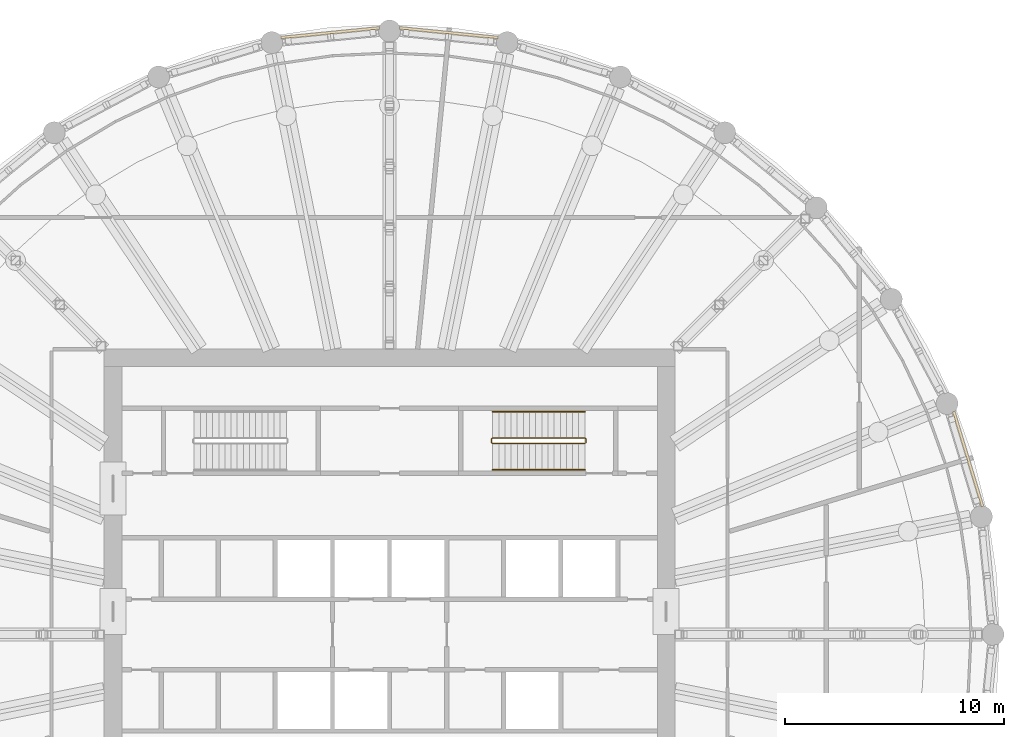
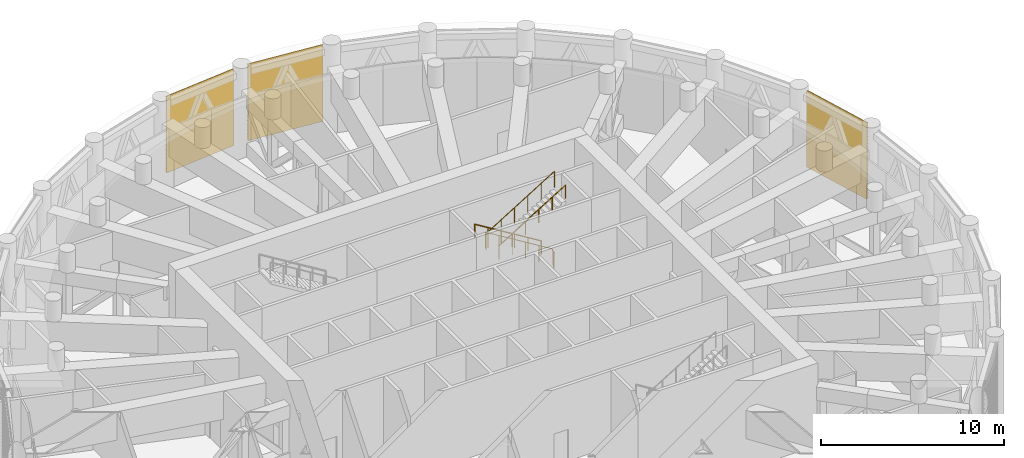
# One storey, part 23 of 24: 3 railings, 3 shading devices, 3 elements without a shape of their own.
"""IFC4 building model written with IfcOpenShell, lengths in metres."""

from ifc_helpers import new_model, si_unit, direction, frame, origin, origin_2d, place, context, subcontext, project, spatial, polyline, circle, outline, extrude, material, material_profile, profile_set, type_object, element, aggregate, save


model = new_model("IFC4")

# Units and contexts
model_context = context("Model", 3, precision=1e-05, world=origin(), true_north=direction((0.0, 1.0)))
body_context = subcontext(model_context, "Body", "Model", "MODEL_VIEW")
ifc_project = project(units=[si_unit("LENGTHUNIT", "METRE"), si_unit("AREAUNIT", "SQUARE_METRE"), si_unit("VOLUMEUNIT", "CUBIC_METRE"), si_unit("PLANEANGLEUNIT", "RADIAN"), si_unit("MASSUNIT", "GRAM", prefix="KILO")], contexts=[model_context])

# Site, building, storey
site_placement = place(None, origin())
site = spatial("IfcSite", under=ifc_project, at=site_placement, CompositionType="ELEMENT")
building_placement = place(site_placement, origin())
building = spatial("IfcBuilding", under=site, at=building_placement, Name="Corvane Civic Tower", CompositionType="ELEMENT")
storey_placement = place(building_placement, frame((0.0, 0.0, 257.5)))
storey = spatial("IfcBuildingStorey", under=building, at=storey_placement, Name="L61", CompositionType="ELEMENT", Elevation=257.5)

# Railings
ifc_material_1 = material(Name="Steel ASTM A572 Gr 50", Category="steel")
railing_type_1 = type_object("IfcRailingType", Name="ST-GUARD-1100", PredefinedType="GUARDRAIL", material=ifc_material_1)
railing_1_placement = place(storey_placement, frame((8.949951171875, 8.75, 0.0)))
element("IfcRailing", 1, at=railing_1_placement, inside=storey, type_object=railing_type_1, Name="L61 ST1 stair guard 1", PredefinedType="GUARDRAIL", context=body_context, shape_type="SweptSolid", body=[
    extrude(circle(Radius=0.02392578125, at=origin_2d()), frame((0.0, 0.0, 1.076171875), z_axis=(0.0, 1.0, 0.0), x_axis=(-1.0, 0.0, 0.0)), (0.0, 0.0, 1.0), 0.14990234375),
    extrude(circle(Radius=0.02392578125, at=origin_2d()), frame((0.0, 0.14990234375, 1.076171875), z_axis=(-0.269255725606, 0.269255725606, 0.92466356501), x_axis=(-0.707106781187, -0.707106781187, 0.0)), (0.0, 0.0, 1.0), 0.185791015625),
    extrude(circle(Radius=0.02392578125, at=origin_2d()), frame((-0.050048828125, 0.199951171875, 1.248046875), z_axis=(-0.852242915053, 0.0, 0.523146264196), x_axis=(0.0, -1.0, 0.0)), (0.0, 0.0, 1.0), 4.92822265625),
    extrude(circle(Radius=0.02392578125, at=origin_2d()), frame((-4.25, 0.199951171875, 3.826171875), z_axis=(-0.707106781187, -0.707106781187, 0.0), x_axis=(0.707106781187, -0.707106781187, 0.0)), (0.0, 0.0, 1.0), 0.07080078125),
    extrude(circle(Radius=0.02392578125, at=origin_2d()), frame((-4.300048828125, 0.14990234375, 3.826171875), z_axis=(0.0, -1.0, 0.0), x_axis=(1.0, 0.0, 0.0)), (0.0, 0.0, 1.0), 0.14990234375),
    extrude(circle(Radius=0.02392578125, at=origin_2d()), frame((-4.300048828125, 0.0, 3.826171875), z_axis=(0.269255725606, -0.269255725606, 0.92466356501), x_axis=(0.707106781187, 0.707106781187, 0.0)), (0.0, 0.0, 1.0), 0.185791015625),
    extrude(circle(Radius=0.02392578125, at=origin_2d()), frame((-4.25, -0.050048828125, 3.998046875), z_axis=(0.852242915053, 0.0, 0.523146264196), x_axis=(0.0, 1.0, 0.0)), (0.0, 0.0, 1.0), 4.92822265625),
    extrude(circle(Radius=0.02099609375, at=origin_2d()), origin(), (0.0, 0.0, 1.0), 1.052001953125),
    extrude(circle(Radius=0.02099609375, at=origin_2d()), frame((0.0, 0.14990234375, 0.0)), (0.0, 0.0, 1.0), 1.052001953125),
    extrude(circle(Radius=0.02099609375, at=origin_2d()), frame((-0.050048828125, 0.199951171875, 0.171875)), (0.0, 0.0, 1.0), 1.052001953125),
    extrude(circle(Radius=0.02099609375, at=origin_2d()), frame((-0.89013671875, 0.199951171875, 0.6875)), (0.0, 0.0, 1.0), 1.052001953125),
    extrude(circle(Radius=0.02099609375, at=origin_2d()), frame((-1.72998046875, 0.199951171875, 1.203125)), (0.0, 0.0, 1.0), 1.052001953125),
    extrude(circle(Radius=0.02099609375, at=origin_2d()), frame((-2.570068359375, 0.199951171875, 1.71875)), (0.0, 0.0, 1.0), 1.052001953125),
    extrude(circle(Radius=0.02099609375, at=origin_2d()), frame((-3.409912109375, 0.199951171875, 2.234375)), (0.0, 0.0, 1.0), 1.052001953125),
    extrude(circle(Radius=0.02099609375, at=origin_2d()), frame((-4.25, 0.199951171875, 2.75)), (0.0, 0.0, 1.0), 1.052001953125),
    extrude(circle(Radius=0.02099609375, at=origin_2d()), frame((-4.300048828125, 0.14990234375, 2.75)), (0.0, 0.0, 1.0), 1.052001953125),
    extrude(circle(Radius=0.02099609375, at=origin_2d()), frame((-4.300048828125, 0.0, 2.75)), (0.0, 0.0, 1.0), 1.052001953125),
    extrude(circle(Radius=0.02099609375, at=origin_2d()), frame((-4.25, -0.050048828125, 2.921875)), (0.0, 0.0, 1.0), 1.052001953125),
    extrude(circle(Radius=0.02099609375, at=origin_2d()), frame((-3.409912109375, -0.050048828125, 3.4375)), (0.0, 0.0, 1.0), 1.052001953125),
    extrude(circle(Radius=0.02099609375, at=origin_2d()), frame((-2.570068359375, -0.050048828125, 3.953125)), (0.0, 0.0, 1.0), 1.052001953125),
    extrude(circle(Radius=0.02099609375, at=origin_2d()), frame((-1.72998046875, -0.050048828125, 4.46875)), (0.0, 0.0, 1.0), 1.052001953125),
    extrude(circle(Radius=0.02099609375, at=origin_2d()), frame((-0.89013671875, -0.050048828125, 4.984375)), (0.0, 0.0, 1.0), 1.052001953125),
    extrude(circle(Radius=0.02099609375, at=origin_2d()), frame((-0.050048828125, -0.050048828125, 5.5)), (0.0, 0.0, 1.0), 1.052001953125),
])
ifc_material_2 = material(Name="Steel ASTM A572 Gr 50", Category="steel")
railing_type_2 = type_object("IfcRailingType", Name="ST-HANDRAIL-900", PredefinedType="HANDRAIL", material=ifc_material_2)
railing_2_placement = place(storey_placement, frame((8.89990234375, 10.14990234375, 0.171875)))
element("IfcRailing", 2, at=railing_2_placement, inside=storey, type_object=railing_type_2, Name="L61 ST1 stair handrail 1", PredefinedType="HANDRAIL", context=body_context, shape_type="SweptSolid", body=[
    extrude(circle(Radius=0.02392578125, at=origin_2d()), frame((0.0, 0.0, 0.8759765625), z_axis=(-0.852242915053, 0.0, 0.523146264196), x_axis=(0.0, -1.0, 0.0)), (0.0, 0.0, 1.0), 4.92822265625),
    extrude(circle(Radius=0.02099609375, at=origin_2d()), origin(), (0.0, 0.0, 1.0), 0.851806640625),
    extrude(circle(Radius=0.02099609375, at=origin_2d()), frame((-0.840087890625, 0.0, 0.515625)), (0.0, 0.0, 1.0), 0.851806640625),
    extrude(circle(Radius=0.02099609375, at=origin_2d()), frame((-1.679931640625, 0.0, 1.03125)), (0.0, 0.0, 1.0), 0.851806640625),
    extrude(circle(Radius=0.02099609375, at=origin_2d()), frame((-2.52001953125, 0.0, 1.546875)), (0.0, 0.0, 1.0), 0.851806640625),
    extrude(circle(Radius=0.02099609375, at=origin_2d()), frame((-3.35986328125, 0.0, 2.0625)), (0.0, 0.0, 1.0), 0.851806640625),
    extrude(circle(Radius=0.02099609375, at=origin_2d()), frame((-4.199951171875, 0.0, 2.578125)), (0.0, 0.0, 1.0), 0.851806640625),
])
railing_3_placement = place(storey_placement, frame((4.699951171875, 7.5, 2.921875)))
element("IfcRailing", 3, at=railing_3_placement, inside=storey, type_object=railing_type_2, Name="L61 ST1 stair handrail 2", PredefinedType="HANDRAIL", context=body_context, shape_type="SweptSolid", body=[
    extrude(circle(Radius=0.02392578125, at=origin_2d()), frame((0.0, 0.0, 0.8759765625), z_axis=(0.852242915053, 0.0, 0.523146264196), x_axis=(0.0, 1.0, 0.0)), (0.0, 0.0, 1.0), 4.92822265625),
    extrude(circle(Radius=0.02099609375, at=origin_2d()), origin(), (0.0, 0.0, 1.0), 0.851806640625),
    extrude(circle(Radius=0.02099609375, at=origin_2d()), frame((0.840087890625, 0.0, 0.515625)), (0.0, 0.0, 1.0), 0.851806640625),
    extrude(circle(Radius=0.02099609375, at=origin_2d()), frame((1.679931640625, 0.0, 1.03125)), (0.0, 0.0, 1.0), 0.851806640625),
    extrude(circle(Radius=0.02099609375, at=origin_2d()), frame((2.52001953125, 0.0, 1.546875)), (0.0, 0.0, 1.0), 0.851806640625),
    extrude(circle(Radius=0.02099609375, at=origin_2d()), frame((3.35986328125, 0.0, 2.0625)), (0.0, 0.0, 1.0), 0.851806640625),
    extrude(circle(Radius=0.02099609375, at=origin_2d()), frame((4.199951171875, 0.0, 2.578125)), (0.0, 0.0, 1.0), 0.851806640625),
])

# Curtain wall, shading device
ifc_material_3 = material(Name="Anodised aluminium bronze", Category="aluminium")
curtain_wall_type = type_object("IfcCurtainWallType", Name="TOWER CW-LV LOUVRE SCREEN WALL", PredefinedType="NOTDEFINED", material=ifc_material_3)
curtain_wall_1_placement = place(storey_placement, origin())
curtain_wall_1 = element("IfcCurtainWall", 4, at=curtain_wall_1_placement, inside=storey, type_object=curtain_wall_type, Name="Louvre screen wall CW-LV L61 bay 01", PredefinedType="NOTDEFINED")
ifc_material_4 = material(Name="Anodised aluminium bronze", Category="aluminium")
ifc_material_profile = material_profile(ifc_material_4, outline(polyline([(-0.06005859375, -2.56494140625), (-0.0400390625, -2.56494140625), (0.06005859375, -2.492919921875), (0.06005859375, -2.472900390625), (-0.0400390625, -2.544921875), (-0.0400390625, -2.4140625), (0.06005859375, -2.342041015625), (0.06005859375, -2.322021484375), (-0.0400390625, -2.39404296875), (-0.0400390625, -2.26318359375), (0.06005859375, -2.191162109375), (0.06005859375, -2.171142578125), (-0.0400390625, -2.2431640625), (-0.0400390625, -2.1123046875), (0.06005859375, -2.040283203125), (0.06005859375, -2.0205078125), (-0.0400390625, -2.09228515625), (-0.0400390625, -1.96142578125), (0.06005859375, -1.889404296875), (0.06005859375, -1.869384765625), (-0.0400390625, -1.94140625), (-0.0400390625, -1.810546875), (0.06005859375, -1.738525390625), (0.06005859375, -1.718505859375), (-0.0400390625, -1.79052734375), (-0.0400390625, -1.65966796875), (0.06005859375, -1.587646484375), (0.06005859375, -1.567626953125), (-0.0400390625, -1.6396484375), (-0.0400390625, -1.5087890625), (0.06005859375, -1.436767578125), (0.06005859375, -1.416748046875), (-0.0400390625, -1.48876953125), (-0.0400390625, -1.35791015625), (0.06005859375, -1.285888671875), (0.06005859375, -1.265869140625), (-0.0400390625, -1.337890625), (-0.0400390625, -1.20703125), (0.06005859375, -1.135009765625), (0.06005859375, -1.114990234375), (-0.0400390625, -1.18701171875), (-0.0400390625, -1.05615234375), (0.06005859375, -0.984130859375), (0.06005859375, -0.964111328125), (-0.0400390625, -1.0361328125), (-0.0400390625, -0.9052734375), (0.06005859375, -0.833251953125), (0.06005859375, -0.813232421875), (-0.0400390625, -0.88525390625), (-0.0400390625, -0.75439453125), (0.06005859375, -0.682373046875), (0.06005859375, -0.662353515625), (-0.0400390625, -0.734375), (-0.0400390625, -0.603515625), (0.06005859375, -0.531494140625), (0.06005859375, -0.511474609375), (-0.0400390625, -0.58349609375), (-0.0400390625, -0.45263671875), (0.06005859375, -0.380615234375), (0.06005859375, -0.360595703125), (-0.0400390625, -0.4326171875), (-0.0400390625, -0.3017578125), (0.06005859375, -0.229736328125), (0.06005859375, -0.209716796875), (-0.0400390625, -0.28173828125), (-0.0400390625, -0.15087890625), (0.06005859375, -0.078857421875), (0.06005859375, -0.058837890625), (-0.0400390625, -0.130859375), (-0.0400390625, 0.0), (0.06005859375, 0.072021484375), (0.06005859375, 0.092041015625), (-0.0400390625, 0.02001953125), (-0.0400390625, 0.15087890625), (0.06005859375, 0.222900390625), (0.06005859375, 0.242919921875), (-0.0400390625, 0.1708984375), (-0.0400390625, 0.3017578125), (0.06005859375, 0.373779296875), (0.06005859375, 0.393798828125), (-0.0400390625, 0.32177734375), (-0.0400390625, 0.45263671875), (0.06005859375, 0.524658203125), (0.06005859375, 0.544677734375), (-0.0400390625, 0.47265625), (-0.0400390625, 0.603515625), (0.06005859375, 0.675537109375), (0.06005859375, 0.695556640625), (-0.0400390625, 0.62353515625), (-0.0400390625, 0.75439453125), (0.06005859375, 0.826416015625), (0.06005859375, 0.846435546875), (-0.0400390625, 0.7744140625), (-0.0400390625, 0.9052734375), (0.06005859375, 0.977294921875), (0.06005859375, 0.997314453125), (-0.0400390625, 0.92529296875), (-0.0400390625, 1.05615234375), (0.06005859375, 1.128173828125), (0.06005859375, 1.148193359375), (-0.0400390625, 1.076171875), (-0.0400390625, 1.20703125), (0.06005859375, 1.279052734375), (0.06005859375, 1.299072265625), (-0.0400390625, 1.22705078125), (-0.0400390625, 1.35791015625), (0.06005859375, 1.429931640625), (0.06005859375, 1.449951171875), (-0.0400390625, 1.3779296875), (-0.0400390625, 1.5087890625), (0.06005859375, 1.580810546875), (0.06005859375, 1.600830078125), (-0.0400390625, 1.52880859375), (-0.0400390625, 1.65966796875), (0.06005859375, 1.731689453125), (0.06005859375, 1.751708984375), (-0.0400390625, 1.6796875), (-0.0400390625, 1.810546875), (0.06005859375, 1.882568359375), (0.06005859375, 1.902587890625), (-0.0400390625, 1.83056640625), (-0.0400390625, 1.96142578125), (0.06005859375, 2.033447265625), (0.06005859375, 2.053466796875), (-0.0400390625, 1.9814453125), (-0.0400390625, 2.1123046875), (0.06005859375, 2.184326171875), (0.06005859375, 2.204345703125), (-0.0400390625, 2.13232421875), (-0.0400390625, 2.26318359375), (0.06005859375, 2.335205078125), (0.06005859375, 2.355224609375), (-0.0400390625, 2.283203125), (-0.0400390625, 2.4140625), (0.06005859375, 2.486083984375), (0.06005859375, 2.506103515625), (-0.0400390625, 2.43408203125), (-0.0400390625, 2.56494140625), (-0.06005859375, 2.56494140625), (-0.06005859375, -2.56494140625)])), Name="TOWER LOUVRE BANK 5130 BRONZE")
ifc_profile_set = profile_set([ifc_material_profile], Name="Anodised aluminium bronze")
shading_device_type = type_object("IfcShadingDeviceType", Name="TOWER LOUVRE BANK 5130 BRONZE", PredefinedType="USERDEFINED", material=ifc_profile_set)
shading_device_1_placement = place(storey_placement, frame((0.452392578125, 27.635498046875, 2.68505859375), z_axis=(0.995182207386, -0.098042715701, 0.0), x_axis=(0.098042715701, 0.995182207386, 0.0)))
shading_device_1 = element("IfcShadingDevice", 5, at=shading_device_1_placement, type_object=shading_device_type, Name="Louvre bank L61 01.1", ObjectType="LOUVRE", PredefinedType="USERDEFINED", context=body_context, shape_type="SweptSolid", body=[
    extrude(outline(polyline([(-0.06005859375, -2.56494140625), (-0.0400390625, -2.56494140625), (0.06005859375, -2.492919921875), (0.06005859375, -2.472900390625), (-0.0400390625, -2.544921875), (-0.0400390625, -2.4140625), (0.06005859375, -2.342041015625), (0.06005859375, -2.322021484375), (-0.0400390625, -2.39404296875), (-0.0400390625, -2.26318359375), (0.06005859375, -2.191162109375), (0.06005859375, -2.171142578125), (-0.0400390625, -2.2431640625), (-0.0400390625, -2.1123046875), (0.06005859375, -2.040283203125), (0.06005859375, -2.0205078125), (-0.0400390625, -2.09228515625), (-0.0400390625, -1.96142578125), (0.06005859375, -1.889404296875), (0.06005859375, -1.869384765625), (-0.0400390625, -1.94140625), (-0.0400390625, -1.810546875), (0.06005859375, -1.738525390625), (0.06005859375, -1.718505859375), (-0.0400390625, -1.79052734375), (-0.0400390625, -1.65966796875), (0.06005859375, -1.587646484375), (0.06005859375, -1.567626953125), (-0.0400390625, -1.6396484375), (-0.0400390625, -1.5087890625), (0.06005859375, -1.436767578125), (0.06005859375, -1.416748046875), (-0.0400390625, -1.48876953125), (-0.0400390625, -1.35791015625), (0.06005859375, -1.285888671875), (0.06005859375, -1.265869140625), (-0.0400390625, -1.337890625), (-0.0400390625, -1.20703125), (0.06005859375, -1.135009765625), (0.06005859375, -1.114990234375), (-0.0400390625, -1.18701171875), (-0.0400390625, -1.05615234375), (0.06005859375, -0.984130859375), (0.06005859375, -0.964111328125), (-0.0400390625, -1.0361328125), (-0.0400390625, -0.9052734375), (0.06005859375, -0.833251953125), (0.06005859375, -0.813232421875), (-0.0400390625, -0.88525390625), (-0.0400390625, -0.75439453125), (0.06005859375, -0.682373046875), (0.06005859375, -0.662353515625), (-0.0400390625, -0.734375), (-0.0400390625, -0.603515625), (0.06005859375, -0.531494140625), (0.06005859375, -0.511474609375), (-0.0400390625, -0.58349609375), (-0.0400390625, -0.45263671875), (0.06005859375, -0.380615234375), (0.06005859375, -0.360595703125), (-0.0400390625, -0.4326171875), (-0.0400390625, -0.3017578125), (0.06005859375, -0.229736328125), (0.06005859375, -0.209716796875), (-0.0400390625, -0.28173828125), (-0.0400390625, -0.15087890625), (0.06005859375, -0.078857421875), (0.06005859375, -0.058837890625), (-0.0400390625, -0.130859375), (-0.0400390625, 0.0), (0.06005859375, 0.072021484375), (0.06005859375, 0.092041015625), (-0.0400390625, 0.02001953125), (-0.0400390625, 0.15087890625), (0.06005859375, 0.222900390625), (0.06005859375, 0.242919921875), (-0.0400390625, 0.1708984375), (-0.0400390625, 0.3017578125), (0.06005859375, 0.373779296875), (0.06005859375, 0.393798828125), (-0.0400390625, 0.32177734375), (-0.0400390625, 0.45263671875), (0.06005859375, 0.524658203125), (0.06005859375, 0.544677734375), (-0.0400390625, 0.47265625), (-0.0400390625, 0.603515625), (0.06005859375, 0.675537109375), (0.06005859375, 0.695556640625), (-0.0400390625, 0.62353515625), (-0.0400390625, 0.75439453125), (0.06005859375, 0.826416015625), (0.06005859375, 0.846435546875), (-0.0400390625, 0.7744140625), (-0.0400390625, 0.9052734375), (0.06005859375, 0.977294921875), (0.06005859375, 0.997314453125), (-0.0400390625, 0.92529296875), (-0.0400390625, 1.05615234375), (0.06005859375, 1.128173828125), (0.06005859375, 1.148193359375), (-0.0400390625, 1.076171875), (-0.0400390625, 1.20703125), (0.06005859375, 1.279052734375), (0.06005859375, 1.299072265625), (-0.0400390625, 1.22705078125), (-0.0400390625, 1.35791015625), (0.06005859375, 1.429931640625), (0.06005859375, 1.449951171875), (-0.0400390625, 1.3779296875), (-0.0400390625, 1.5087890625), (0.06005859375, 1.580810546875), (0.06005859375, 1.600830078125), (-0.0400390625, 1.52880859375), (-0.0400390625, 1.65966796875), (0.06005859375, 1.731689453125), (0.06005859375, 1.751708984375), (-0.0400390625, 1.6796875), (-0.0400390625, 1.810546875), (0.06005859375, 1.882568359375), (0.06005859375, 1.902587890625), (-0.0400390625, 1.83056640625), (-0.0400390625, 1.96142578125), (0.06005859375, 2.033447265625), (0.06005859375, 2.053466796875), (-0.0400390625, 1.9814453125), (-0.0400390625, 2.1123046875), (0.06005859375, 2.184326171875), (0.06005859375, 2.204345703125), (-0.0400390625, 2.13232421875), (-0.0400390625, 2.26318359375), (0.06005859375, 2.335205078125), (0.06005859375, 2.355224609375), (-0.0400390625, 2.283203125), (-0.0400390625, 2.4140625), (0.06005859375, 2.486083984375), (0.06005859375, 2.506103515625), (-0.0400390625, 2.43408203125), (-0.0400390625, 2.56494140625), (-0.06005859375, 2.56494140625), (-0.06005859375, -2.56494140625)])), origin(), (0.0, 0.0, 1.0), 4.51708984375),
])
aggregate(curtain_wall_1, [shading_device_1])

curtain_wall_2_placement = place(storey_placement, origin())
curtain_wall_2 = element("IfcCurtainWall", 6, at=curtain_wall_2_placement, inside=storey, type_object=curtain_wall_type, Name="Louvre screen wall CW-LV L61 bay 07", PredefinedType="NOTDEFINED")
shading_device_2_placement = place(storey_placement, frame((25.705078125, 10.15771484375, 2.68505859375), z_axis=(0.2902818869, -0.956941182173, 0.0), x_axis=(0.956941182173, 0.2902818869, 0.0)))
shading_device_2 = element("IfcShadingDevice", 7, at=shading_device_2_placement, type_object=shading_device_type, Name="Louvre bank L61 07.1", ObjectType="LOUVRE", PredefinedType="USERDEFINED", context=body_context, shape_type="SweptSolid", body=[
    extrude(outline(polyline([(-0.06005859375, -2.56494140625), (-0.0400390625, -2.56494140625), (0.06005859375, -2.492919921875), (0.06005859375, -2.472900390625), (-0.0400390625, -2.544921875), (-0.0400390625, -2.4140625), (0.06005859375, -2.342041015625), (0.06005859375, -2.322021484375), (-0.0400390625, -2.39404296875), (-0.0400390625, -2.26318359375), (0.06005859375, -2.191162109375), (0.06005859375, -2.171142578125), (-0.0400390625, -2.2431640625), (-0.0400390625, -2.1123046875), (0.06005859375, -2.040283203125), (0.06005859375, -2.0205078125), (-0.0400390625, -2.09228515625), (-0.0400390625, -1.96142578125), (0.06005859375, -1.889404296875), (0.06005859375, -1.869384765625), (-0.0400390625, -1.94140625), (-0.0400390625, -1.810546875), (0.06005859375, -1.738525390625), (0.06005859375, -1.718505859375), (-0.0400390625, -1.79052734375), (-0.0400390625, -1.65966796875), (0.06005859375, -1.587646484375), (0.06005859375, -1.567626953125), (-0.0400390625, -1.6396484375), (-0.0400390625, -1.5087890625), (0.06005859375, -1.436767578125), (0.06005859375, -1.416748046875), (-0.0400390625, -1.48876953125), (-0.0400390625, -1.35791015625), (0.06005859375, -1.285888671875), (0.06005859375, -1.265869140625), (-0.0400390625, -1.337890625), (-0.0400390625, -1.20703125), (0.06005859375, -1.135009765625), (0.06005859375, -1.114990234375), (-0.0400390625, -1.18701171875), (-0.0400390625, -1.05615234375), (0.06005859375, -0.984130859375), (0.06005859375, -0.964111328125), (-0.0400390625, -1.0361328125), (-0.0400390625, -0.9052734375), (0.06005859375, -0.833251953125), (0.06005859375, -0.813232421875), (-0.0400390625, -0.88525390625), (-0.0400390625, -0.75439453125), (0.06005859375, -0.682373046875), (0.06005859375, -0.662353515625), (-0.0400390625, -0.734375), (-0.0400390625, -0.603515625), (0.06005859375, -0.531494140625), (0.06005859375, -0.511474609375), (-0.0400390625, -0.58349609375), (-0.0400390625, -0.45263671875), (0.06005859375, -0.380615234375), (0.06005859375, -0.360595703125), (-0.0400390625, -0.4326171875), (-0.0400390625, -0.3017578125), (0.06005859375, -0.229736328125), (0.06005859375, -0.209716796875), (-0.0400390625, -0.28173828125), (-0.0400390625, -0.15087890625), (0.06005859375, -0.078857421875), (0.06005859375, -0.058837890625), (-0.0400390625, -0.130859375), (-0.0400390625, 0.0), (0.06005859375, 0.072021484375), (0.06005859375, 0.092041015625), (-0.0400390625, 0.02001953125), (-0.0400390625, 0.15087890625), (0.06005859375, 0.222900390625), (0.06005859375, 0.242919921875), (-0.0400390625, 0.1708984375), (-0.0400390625, 0.3017578125), (0.06005859375, 0.373779296875), (0.06005859375, 0.393798828125), (-0.0400390625, 0.32177734375), (-0.0400390625, 0.45263671875), (0.06005859375, 0.524658203125), (0.06005859375, 0.544677734375), (-0.0400390625, 0.47265625), (-0.0400390625, 0.603515625), (0.06005859375, 0.675537109375), (0.06005859375, 0.695556640625), (-0.0400390625, 0.62353515625), (-0.0400390625, 0.75439453125), (0.06005859375, 0.826416015625), (0.06005859375, 0.846435546875), (-0.0400390625, 0.7744140625), (-0.0400390625, 0.9052734375), (0.06005859375, 0.977294921875), (0.06005859375, 0.997314453125), (-0.0400390625, 0.92529296875), (-0.0400390625, 1.05615234375), (0.06005859375, 1.128173828125), (0.06005859375, 1.148193359375), (-0.0400390625, 1.076171875), (-0.0400390625, 1.20703125), (0.06005859375, 1.279052734375), (0.06005859375, 1.299072265625), (-0.0400390625, 1.22705078125), (-0.0400390625, 1.35791015625), (0.06005859375, 1.429931640625), (0.06005859375, 1.449951171875), (-0.0400390625, 1.3779296875), (-0.0400390625, 1.5087890625), (0.06005859375, 1.580810546875), (0.06005859375, 1.600830078125), (-0.0400390625, 1.52880859375), (-0.0400390625, 1.65966796875), (0.06005859375, 1.731689453125), (0.06005859375, 1.751708984375), (-0.0400390625, 1.6796875), (-0.0400390625, 1.810546875), (0.06005859375, 1.882568359375), (0.06005859375, 1.902587890625), (-0.0400390625, 1.83056640625), (-0.0400390625, 1.96142578125), (0.06005859375, 2.033447265625), (0.06005859375, 2.053466796875), (-0.0400390625, 1.9814453125), (-0.0400390625, 2.1123046875), (0.06005859375, 2.184326171875), (0.06005859375, 2.204345703125), (-0.0400390625, 2.13232421875), (-0.0400390625, 2.26318359375), (0.06005859375, 2.335205078125), (0.06005859375, 2.355224609375), (-0.0400390625, 2.283203125), (-0.0400390625, 2.4140625), (0.06005859375, 2.486083984375), (0.06005859375, 2.506103515625), (-0.0400390625, 2.43408203125), (-0.0400390625, 2.56494140625), (-0.06005859375, 2.56494140625), (-0.06005859375, -2.56494140625)])), origin(), (0.0, 0.0, 1.0), 4.517333984375),
])
aggregate(curtain_wall_2, [shading_device_2])

curtain_wall_3_placement = place(storey_placement, origin())
curtain_wall_3 = element("IfcCurtainWall", 8, at=curtain_wall_3_placement, inside=storey, type_object=curtain_wall_type, Name="Louvre screen wall CW-LV L61 bay 32", PredefinedType="NOTDEFINED")
shading_device_3_placement = place(storey_placement, frame((-4.94775390625, 27.192626953125, 2.68505859375), z_axis=(0.995182207386, 0.098042715701, 0.0), x_axis=(-0.098042715701, 0.995182207386, 0.0)))
shading_device_3 = element("IfcShadingDevice", 9, at=shading_device_3_placement, type_object=shading_device_type, Name="Louvre bank L61 32.1", ObjectType="LOUVRE", PredefinedType="USERDEFINED", context=body_context, shape_type="SweptSolid", body=[
    extrude(outline(polyline([(-0.06005859375, -2.56494140625), (-0.0400390625, -2.56494140625), (0.06005859375, -2.492919921875), (0.06005859375, -2.472900390625), (-0.0400390625, -2.544921875), (-0.0400390625, -2.4140625), (0.06005859375, -2.342041015625), (0.06005859375, -2.322021484375), (-0.0400390625, -2.39404296875), (-0.0400390625, -2.26318359375), (0.06005859375, -2.191162109375), (0.06005859375, -2.171142578125), (-0.0400390625, -2.2431640625), (-0.0400390625, -2.1123046875), (0.06005859375, -2.040283203125), (0.06005859375, -2.0205078125), (-0.0400390625, -2.09228515625), (-0.0400390625, -1.96142578125), (0.06005859375, -1.889404296875), (0.06005859375, -1.869384765625), (-0.0400390625, -1.94140625), (-0.0400390625, -1.810546875), (0.06005859375, -1.738525390625), (0.06005859375, -1.718505859375), (-0.0400390625, -1.79052734375), (-0.0400390625, -1.65966796875), (0.06005859375, -1.587646484375), (0.06005859375, -1.567626953125), (-0.0400390625, -1.6396484375), (-0.0400390625, -1.5087890625), (0.06005859375, -1.436767578125), (0.06005859375, -1.416748046875), (-0.0400390625, -1.48876953125), (-0.0400390625, -1.35791015625), (0.06005859375, -1.285888671875), (0.06005859375, -1.265869140625), (-0.0400390625, -1.337890625), (-0.0400390625, -1.20703125), (0.06005859375, -1.135009765625), (0.06005859375, -1.114990234375), (-0.0400390625, -1.18701171875), (-0.0400390625, -1.05615234375), (0.06005859375, -0.984130859375), (0.06005859375, -0.964111328125), (-0.0400390625, -1.0361328125), (-0.0400390625, -0.9052734375), (0.06005859375, -0.833251953125), (0.06005859375, -0.813232421875), (-0.0400390625, -0.88525390625), (-0.0400390625, -0.75439453125), (0.06005859375, -0.682373046875), (0.06005859375, -0.662353515625), (-0.0400390625, -0.734375), (-0.0400390625, -0.603515625), (0.06005859375, -0.531494140625), (0.06005859375, -0.511474609375), (-0.0400390625, -0.58349609375), (-0.0400390625, -0.45263671875), (0.06005859375, -0.380615234375), (0.06005859375, -0.360595703125), (-0.0400390625, -0.4326171875), (-0.0400390625, -0.3017578125), (0.06005859375, -0.229736328125), (0.06005859375, -0.209716796875), (-0.0400390625, -0.28173828125), (-0.0400390625, -0.15087890625), (0.06005859375, -0.078857421875), (0.06005859375, -0.058837890625), (-0.0400390625, -0.130859375), (-0.0400390625, 0.0), (0.06005859375, 0.072021484375), (0.06005859375, 0.092041015625), (-0.0400390625, 0.02001953125), (-0.0400390625, 0.15087890625), (0.06005859375, 0.222900390625), (0.06005859375, 0.242919921875), (-0.0400390625, 0.1708984375), (-0.0400390625, 0.3017578125), (0.06005859375, 0.373779296875), (0.06005859375, 0.393798828125), (-0.0400390625, 0.32177734375), (-0.0400390625, 0.45263671875), (0.06005859375, 0.524658203125), (0.06005859375, 0.544677734375), (-0.0400390625, 0.47265625), (-0.0400390625, 0.603515625), (0.06005859375, 0.675537109375), (0.06005859375, 0.695556640625), (-0.0400390625, 0.62353515625), (-0.0400390625, 0.75439453125), (0.06005859375, 0.826416015625), (0.06005859375, 0.846435546875), (-0.0400390625, 0.7744140625), (-0.0400390625, 0.9052734375), (0.06005859375, 0.977294921875), (0.06005859375, 0.997314453125), (-0.0400390625, 0.92529296875), (-0.0400390625, 1.05615234375), (0.06005859375, 1.128173828125), (0.06005859375, 1.148193359375), (-0.0400390625, 1.076171875), (-0.0400390625, 1.20703125), (0.06005859375, 1.279052734375), (0.06005859375, 1.299072265625), (-0.0400390625, 1.22705078125), (-0.0400390625, 1.35791015625), (0.06005859375, 1.429931640625), (0.06005859375, 1.449951171875), (-0.0400390625, 1.3779296875), (-0.0400390625, 1.5087890625), (0.06005859375, 1.580810546875), (0.06005859375, 1.600830078125), (-0.0400390625, 1.52880859375), (-0.0400390625, 1.65966796875), (0.06005859375, 1.731689453125), (0.06005859375, 1.751708984375), (-0.0400390625, 1.6796875), (-0.0400390625, 1.810546875), (0.06005859375, 1.882568359375), (0.06005859375, 1.902587890625), (-0.0400390625, 1.83056640625), (-0.0400390625, 1.96142578125), (0.06005859375, 2.033447265625), (0.06005859375, 2.053466796875), (-0.0400390625, 1.9814453125), (-0.0400390625, 2.1123046875), (0.06005859375, 2.184326171875), (0.06005859375, 2.204345703125), (-0.0400390625, 2.13232421875), (-0.0400390625, 2.26318359375), (0.06005859375, 2.335205078125), (0.06005859375, 2.355224609375), (-0.0400390625, 2.283203125), (-0.0400390625, 2.4140625), (0.06005859375, 2.486083984375), (0.06005859375, 2.506103515625), (-0.0400390625, 2.43408203125), (-0.0400390625, 2.56494140625), (-0.06005859375, 2.56494140625), (-0.06005859375, -2.56494140625)])), origin(), (0.0, 0.0, 1.0), 4.51708984375),
])
aggregate(curtain_wall_3, [shading_device_3])

save(model, "model.ifc")
